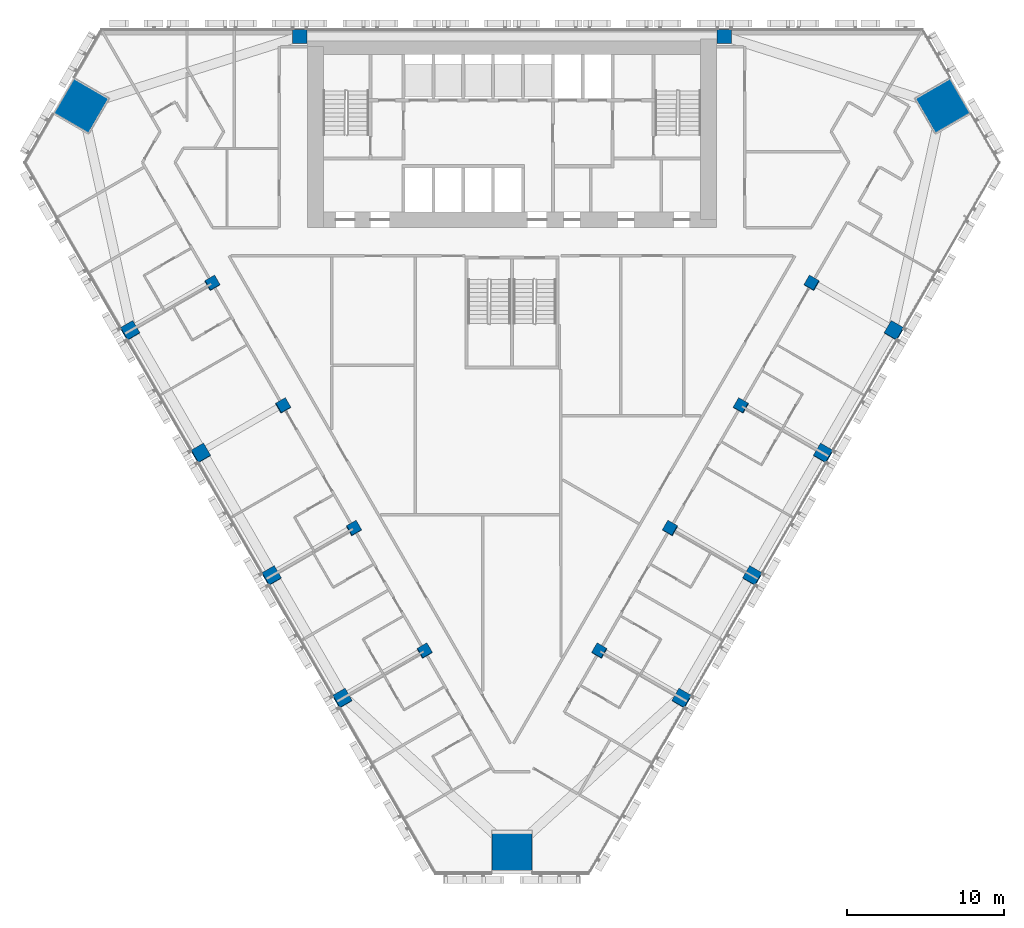
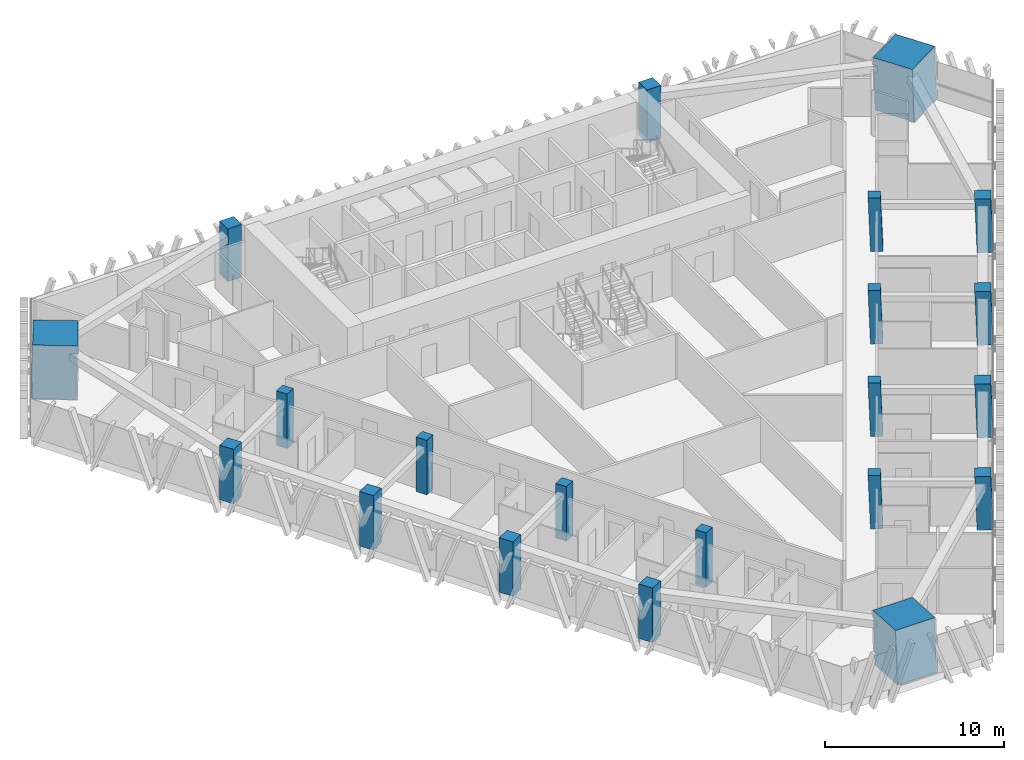
# One storey, part 1 of 18: 21 columns.
"""IFC4 building model written with IfcOpenShell, lengths in metres."""

from ifc_helpers import new_model, si_unit, direction, frame, origin, origin_2d, place, context, subcontext, project, spatial, rectangle, extrude, material, material_profile, profile_set, type_object, element, save


model = new_model("IFC4")

# Units and contexts
model_context = context("Model", 3, precision=1e-05, world=origin(), true_north=direction((0.0, 1.0)))
body_context = subcontext(model_context, "Body", "Model", "MODEL_VIEW")
ifc_project = project(units=[si_unit("LENGTHUNIT", "METRE"), si_unit("AREAUNIT", "SQUARE_METRE"), si_unit("VOLUMEUNIT", "CUBIC_METRE"), si_unit("PLANEANGLEUNIT", "RADIAN"), si_unit("MASSUNIT", "GRAM", prefix="KILO")], contexts=[model_context])

# Site, building, storey
site_placement = place(None, origin())
site = spatial("IfcSite", under=ifc_project, at=site_placement, CompositionType="ELEMENT")
building_placement = place(site_placement, origin())
building = spatial("IfcBuilding", under=site, at=building_placement, Name="Altiplano Prism Tower", CompositionType="ELEMENT")
storey_placement = place(building_placement, frame((0.0, 0.0, 37.800048828125)))
storey = spatial("IfcBuildingStorey", under=building, at=storey_placement, Name="L08", CompositionType="ELEMENT", Elevation=37.800048828125)

# Columns
ifc_material_1 = material(Name="Concrete C60/75", Category="concrete")
ifc_material_profile_1 = material_profile(ifc_material_1, rectangle(XDim=0.699951171875, YDim=0.699951171875, at=origin_2d()), Name="Inner column 700")
ifc_profile_set_1 = profile_set([ifc_material_profile_1], Name="Concrete C60/75")
column_type_1 = type_object("IfcColumnType", Name="Inner column 700", PredefinedType="COLUMN", material=ifc_profile_set_1)
for number, where, z_axis, x_axis, name in (
    (1, (65.93212890625, 88.856201171875, -0.021240234375), (0.022222910879, 0.038415824599, 0.999014697916), (-0.86602133979, -0.49852764231, 0.038434735344), "Inner column I11 L08"),
    (2, (70.43212890625, 81.06201171875, -0.021240234375), (0.022222910879, 0.038415824599, 0.999014697916), (-0.866025559342, -0.498520326662, 0.038434547893), "Inner column I12 L08"),
    (3, (74.93212890625, 73.267822265625, -0.021240234375), (0.022222910879, 0.038415824599, 0.999014697916), (-0.866018663307, -0.498532282588, 0.038434854242), "Inner column I13 L08"),
    (4, (79.43212890625, 65.473388671875, -0.021240234375), (0.022222852987, 0.038483477124, 0.999012095419), (-0.865638243434, -0.499188640565, 0.038485486042), "Inner column I14 L08"),
    (5, (90.56787109375, 65.473388671875, -0.021240234375), (-0.022222852987, 0.038483477124, 0.999012095419), (-0.500176545142, -0.865638332746, 0.022219373767), "Inner column I21 L08"),
    (6, (95.06787109375, 73.267822265625, -0.021240234375), (-0.022222910879, 0.038415824599, 0.999014697916), (-0.499517584311, -0.866019507654, 0.022189982583), "Inner column I22 L08"),
    (7, (99.56787109375, 81.06201171875, -0.021240234375), (-0.022222910879, 0.038415824599, 0.999014697916), (-0.499505628395, -0.866026390086, 0.022190513195), "Inner column I23 L08"),
    (8, (104.06787109375, 88.856201171875, -0.021240234375), (-0.022222910879, 0.038415824599, 0.999014697916), (-0.499508318862, -0.866024841336, 0.022190393791), "Inner column I24 L08"),
):
    element("IfcColumn", number, at=place(storey_placement, frame(where, z_axis=z_axis, x_axis=x_axis)), inside=storey, type_object=column_type_1, Name=name, PredefinedType="COLUMN", context=body_context, shape_type="SweptSolid", body=[
        extrude(rectangle(XDim=0.699951171875, YDim=0.699951171875, at=origin_2d()), origin(), (0.0, 0.0, 1.0), 3.603515625),
    ])
ifc_material_2 = material(Name="Concrete C70/85", Category="concrete")
ifc_material_profile_2 = material_profile(ifc_material_2, rectangle(XDim=2.52001953125, YDim=2.52001953125, at=origin_2d()), Name="Mega column infill 2600")
ifc_profile_set_2 = profile_set([ifc_material_profile_2], Name="Concrete C70/85")
column_type_2 = type_object("IfcColumnType", Name="Mega column infill 2600", PredefinedType="COLUMN", material=ifc_profile_set_2)
column_1_placement = place(storey_placement, frame((57.5595703125, 100.119873046875, 0.0), z_axis=(0.028403739082, 0.009219352065, 0.999554016126), x_axis=(-0.865120076152, 0.501167445074, 0.01996110813)))
element("IfcColumn", 9, at=column_1_placement, inside=storey, type_object=column_type_2, Name="Mega column M0 L08", PredefinedType="COLUMN", context=body_context, shape_type="SweptSolid", body=[
    extrude(rectangle(XDim=2.52001953125, YDim=2.52001953125, at=origin_2d()), origin(), (0.0, 0.0, 1.0), 3.6015625),
])
column_2_placement = place(storey_placement, frame((85.0, 52.591552734375, 0.0), z_axis=(0.0, 0.058360852261, 0.998295552892), x_axis=(-1.0, 0.0, 0.0)))
element("IfcColumn", 10, at=column_2_placement, inside=storey, type_object=column_type_2, Name="Mega column M1 L08", PredefinedType="COLUMN", context=body_context, shape_type="SweptSolid", body=[
    extrude(rectangle(XDim=2.52001953125, YDim=2.52001953125, at=origin_2d()), origin(), (0.0, 0.0, 1.0), 3.60595703125),
])
column_3_placement = place(storey_placement, frame((112.4404296875, 100.119873046875, 0.0), z_axis=(-0.028403739082, 0.009219352065, 0.999554016126), x_axis=(0.500759903992, -0.865301216656, 0.022210875906)))
element("IfcColumn", 11, at=column_3_placement, inside=storey, type_object=column_type_2, Name="Mega column M2 L08", PredefinedType="COLUMN", context=body_context, shape_type="SweptSolid", body=[
    extrude(rectangle(XDim=2.52001953125, YDim=2.52001953125, at=origin_2d()), origin(), (0.0, 0.0, 1.0), 3.6015625),
])
ifc_material_profile_3 = material_profile(ifc_material_1, rectangle(XDim=0.89990234375, YDim=0.89990234375, at=origin_2d()), Name="Perimeter column 900")
ifc_profile_set_3 = profile_set([ifc_material_profile_3], Name="Concrete C60/75")
column_type_3 = type_object("IfcColumnType", Name="Perimeter column 900", PredefinedType="COLUMN", material=ifc_profile_set_3)
for number, where, z_axis, x_axis, name in (
    (12, (98.5, 104.550048828125, 0.0), (0.0, 0.0, 1.0), (1.0, 0.0, 0.0), "Perimeter column P01 L08"),
    (13, (71.5, 104.550048828125, 0.0), (0.0, 0.0, 1.0), (1.0, 0.0, 0.0), "Perimeter column P04 L08"),
):
    element("IfcColumn", number, at=place(storey_placement, frame(where, z_axis=z_axis, x_axis=x_axis)), inside=storey, type_object=column_type_3, Name=name, PredefinedType="COLUMN", context=body_context, shape_type="SweptSolid", body=[
        extrude(rectangle(XDim=0.89990234375, YDim=0.89990234375, at=origin_2d()), origin(), (0.0, 0.0, 1.0), 3.599853515625),
    ])
for number, where, z_axis, x_axis, name in (
    (14, (60.692626953125, 85.830810546875, -0.02734375), (0.022153634206, 0.038480930364, 0.999013730882), (-0.864982423692, -0.500326631128, 0.038453463924), "Perimeter column P11 L08"),
    (15, (65.192626953125, 78.03662109375, -0.02734375), (0.022153634206, 0.038480930364, 0.999013730882), (-0.86498397236, -0.500323958998, 0.038453395339), "Perimeter column P12 L08"),
    (16, (69.692626953125, 70.242431640625, -0.02734375), (0.022153634206, 0.038480930364, 0.999013730882), (-0.864979746314, -0.500331250733, 0.038453582494), "Perimeter column P13 L08"),
    (17, (74.192626953125, 62.4482421875, -0.02734375), (0.022153634206, 0.038480930364, 0.999013730882), (-0.864981303746, -0.500328563514, 0.038453513522), "Perimeter column P14 L08"),
    (18, (95.807373046875, 62.4482421875, -0.02734375), (-0.022153634206, 0.038480930364, 0.999013730882), (-0.501314831879, -0.864980084471, 0.022201189336), "Perimeter column P21 L08"),
    (19, (100.307373046875, 70.242431640625, -0.02734375), (-0.022153634206, 0.038480930364, 0.999013730882), (-0.501317519101, -0.864978530103, 0.022201069873), "Perimeter column P22 L08"),
    (20, (104.807373046875, 78.03662109375, -0.02734375), (-0.022153634206, 0.038480930364, 0.999013730882), (-0.501310227356, -0.864982747834, 0.022201394034), "Perimeter column P23 L08"),
    (21, (109.307373046875, 85.830810546875, -0.02734375), (-0.022153634206, 0.038480930364, 0.999013730882), (-0.50131289949, -0.864981202213, 0.022201275242), "Perimeter column P24 L08"),
):
    element("IfcColumn", number, at=place(storey_placement, frame(where, z_axis=z_axis, x_axis=x_axis)), inside=storey, type_object=column_type_3, Name=name, PredefinedType="COLUMN", context=body_context, shape_type="SweptSolid", body=[
        extrude(rectangle(XDim=0.89990234375, YDim=0.89990234375, at=origin_2d()), origin(), (0.0, 0.0, 1.0), 3.603759765625),
    ])

save(model, "model.ifc")
